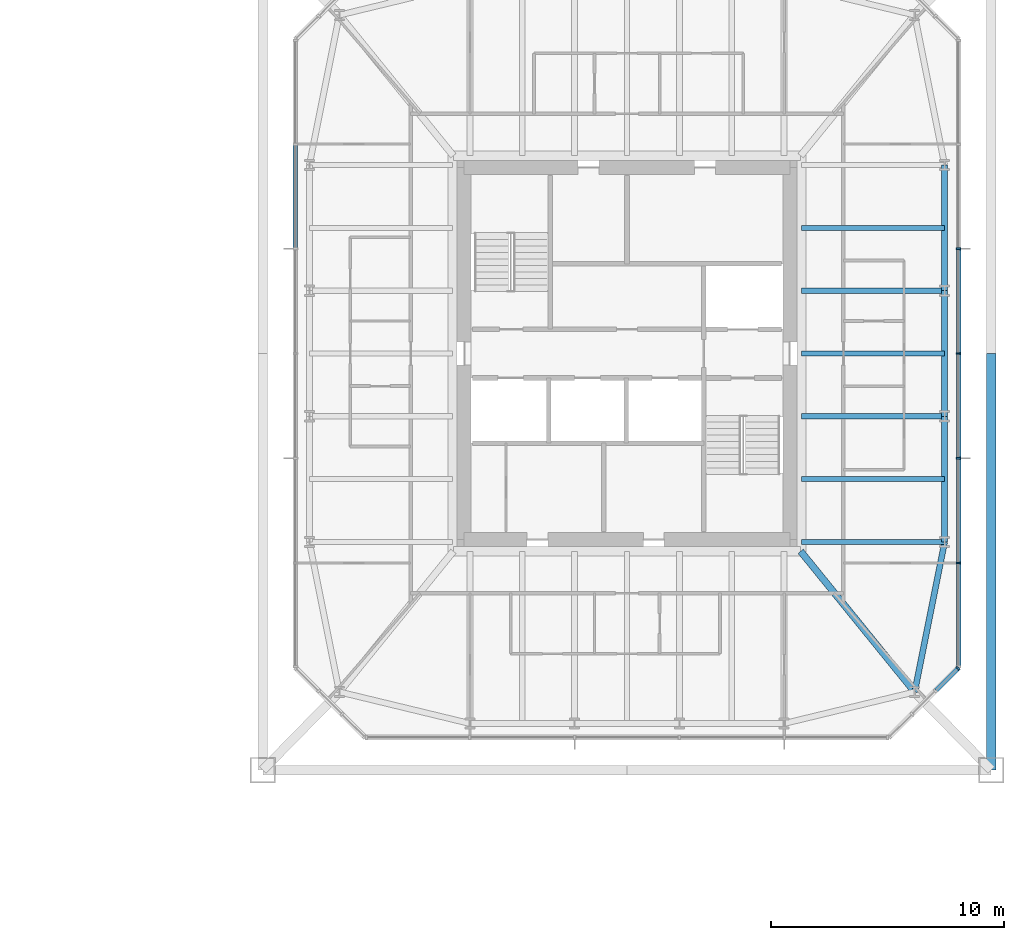
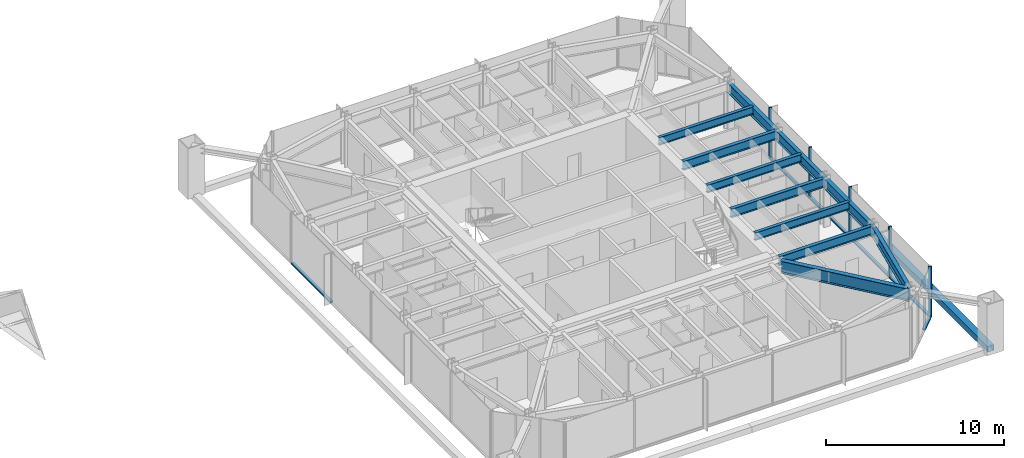
# One storey, part 10 of 26: 12 members, 11 beams, 3 elements without a shape of their own.
"""IFC4 building model written with IfcOpenShell, lengths in metres."""

from ifc_helpers import new_model, si_unit, direction, frame, origin, origin_2d, place, context, subcontext, project, spatial, rectangle, hollow_rectangle, i_section, extrude, material, material_profile, profile_set, type_object, element, aggregate, save


model = new_model("IFC4")

# Units and contexts
model_context = context("Model", 3, precision=1e-05, world=origin(), true_north=direction((0.0, 1.0)))
body_context = subcontext(model_context, "Body", "Model", "MODEL_VIEW")
ifc_project = project(units=[si_unit("LENGTHUNIT", "METRE"), si_unit("AREAUNIT", "SQUARE_METRE"), si_unit("VOLUMEUNIT", "CUBIC_METRE"), si_unit("PLANEANGLEUNIT", "RADIAN"), si_unit("MASSUNIT", "GRAM", prefix="KILO")], contexts=[model_context])

# Site, building, storey
site_placement = place(None, origin())
site = spatial("IfcSite", under=ifc_project, at=site_placement, CompositionType="ELEMENT")
building_placement = place(site_placement, origin())
building = spatial("IfcBuilding", under=site, at=building_placement, Name="Iwan Alto Co-Living Towers", CompositionType="ELEMENT")
storey_placement = place(building_placement, frame((0.0, 0.0, 115.5)))
storey = spatial("IfcBuildingStorey", under=building, at=storey_placement, Name="L31", CompositionType="ELEMENT", Elevation=115.5)

# Curtain wall, members
ifc_material_1 = material(Name="Bronze aluminium unitised frame", Category="aluminium")
curtain_wall_type_1 = type_object("IfcCurtainWallType", Name="CURTAIN WALL CW-C", PredefinedType="NOTDEFINED", material=ifc_material_1)
curtain_wall_1_placement = place(storey_placement, origin())
curtain_wall_1 = element("IfcCurtainWall", 1, at=curtain_wall_1_placement, inside=storey, type_object=curtain_wall_type_1, Name="T2 curtain wall E L31", PredefinedType="NOTDEFINED")
ifc_material_2 = material(Name="Aluminium 6063-T6 bronze anodised", Category="aluminium")
ifc_material_profile_1 = material_profile(ifc_material_2, rectangle(XDim=0.199951171875, YDim=0.080078125, at=origin_2d()), Name="AL 80X200")
ifc_profile_set_1 = profile_set([ifc_material_profile_1], Name="Aluminium 6063-T6 bronze anodised")
member_type_1 = type_object("IfcMemberType", Name="CW-C MULLION 80X200", PredefinedType="MULLION", material=ifc_profile_set_1)
member_1_placement = place(storey_placement, frame((77.25, -9.0, 0.0), z_axis=(0.0, 0.0, 1.0), x_axis=(-1.0, 0.0, 0.0)))
member_1 = element("IfcMember", 2, at=member_1_placement, type_object=member_type_1, Name="CW-C mullion 2", PredefinedType="MULLION", context=body_context, shape_type="SweptSolid", body=[
    extrude(rectangle(XDim=0.199951171875, YDim=0.080078125, at=origin_2d()), origin(), (0.0, 0.0, 1.0), 3.5),
])
member_2_placement = place(storey_placement, frame((77.25, -4.5, 0.0), z_axis=(0.0, 0.0, 1.0), x_axis=(-1.0, 0.0, 0.0)))
member_2 = element("IfcMember", 3, at=member_2_placement, type_object=member_type_1, Name="CW-C mullion 3", PredefinedType="MULLION", context=body_context, shape_type="SweptSolid", body=[
    extrude(rectangle(XDim=0.199951171875, YDim=0.080078125, at=origin_2d()), origin(), (0.0, 0.0, 1.0), 3.5),
])
member_3_placement = place(storey_placement, frame((77.25, 0.0, 0.0), z_axis=(0.0, 0.0, 1.0), x_axis=(-1.0, 0.0, 0.0)))
member_3 = element("IfcMember", 4, at=member_3_placement, type_object=member_type_1, Name="CW-C mullion 4", PredefinedType="MULLION", context=body_context, shape_type="SweptSolid", body=[
    extrude(rectangle(XDim=0.199951171875, YDim=0.080078125, at=origin_2d()), origin(), (0.0, 0.0, 1.0), 3.5),
])
member_4_placement = place(storey_placement, frame((77.25, 4.5, 0.0), z_axis=(0.0, 0.0, 1.0), x_axis=(-1.0, 0.0, 0.0)))
member_4 = element("IfcMember", 5, at=member_4_placement, type_object=member_type_1, Name="CW-C mullion 5", PredefinedType="MULLION", context=body_context, shape_type="SweptSolid", body=[
    extrude(rectangle(XDim=0.199951171875, YDim=0.080078125, at=origin_2d()), origin(), (0.0, 0.0, 1.0), 3.5),
])
ifc_material_3 = material(Name="Aluminium 6063-T6 bronze anodised", Category="aluminium")
ifc_material_profile_2 = material_profile(ifc_material_3, rectangle(XDim=0.199951171875, YDim=0.10009765625, at=origin_2d()), Name="AL 200X100")
ifc_profile_set_2 = profile_set([ifc_material_profile_2], Name="Aluminium 6063-T6 bronze anodised")
member_type_2 = type_object("IfcMemberType", Name="CW-C TRANSOM 200X100", PredefinedType="USERDEFINED", material=ifc_profile_set_2)
member_5_placement = place(storey_placement, frame((77.25, -13.419921875, 0.050048828125), z_axis=(0.0, 1.0, 0.0), x_axis=(-1.0, 0.0, 0.0)))
member_5 = element("IfcMember", 6, at=member_5_placement, type_object=member_type_2, Name="CW-C transom 1.1", ObjectType="TRANSOM", PredefinedType="USERDEFINED", context=body_context, shape_type="SweptSolid", body=[
    extrude(rectangle(XDim=0.199951171875, YDim=0.10009765625, at=origin_2d()), origin(), (0.0, 0.0, 1.0), 4.3798828125),
])
member_6_placement = place(storey_placement, frame((77.25, -8.9599609375, 0.050048828125), z_axis=(0.0, 1.0, 0.0), x_axis=(-1.0, 0.0, 0.0)))
member_6 = element("IfcMember", 7, at=member_6_placement, type_object=member_type_2, Name="CW-C transom 2.1", ObjectType="TRANSOM", PredefinedType="USERDEFINED", context=body_context, shape_type="SweptSolid", body=[
    extrude(rectangle(XDim=0.199951171875, YDim=0.10009765625, at=origin_2d()), origin(), (0.0, 0.0, 1.0), 4.419921875),
])
member_7_placement = place(storey_placement, frame((77.25, -4.4599609375, 0.050048828125), z_axis=(0.0, 1.0, 0.0), x_axis=(-1.0, 0.0, 0.0)))
member_7 = element("IfcMember", 8, at=member_7_placement, type_object=member_type_2, Name="CW-C transom 3.1", ObjectType="TRANSOM", PredefinedType="USERDEFINED", context=body_context, shape_type="SweptSolid", body=[
    extrude(rectangle(XDim=0.199951171875, YDim=0.10009765625, at=origin_2d()), origin(), (0.0, 0.0, 1.0), 4.419921875),
])
member_8_placement = place(storey_placement, frame((77.25, 0.0400390625, 0.050048828125), z_axis=(0.0, 1.0, 0.0), x_axis=(-1.0, 0.0, 0.0)))
member_8 = element("IfcMember", 9, at=member_8_placement, type_object=member_type_2, Name="CW-C transom 4.1", ObjectType="TRANSOM", PredefinedType="USERDEFINED", context=body_context, shape_type="SweptSolid", body=[
    extrude(rectangle(XDim=0.199951171875, YDim=0.10009765625, at=origin_2d()), origin(), (0.0, 0.0, 1.0), 4.419921875),
])
aggregate(curtain_wall_1, [member_1, member_2, member_3, member_4, member_5, member_6, member_7, member_8])

# Curtain wall, member
curtain_wall_2_placement = place(storey_placement, origin())
curtain_wall_2 = element("IfcCurtainWall", 10, at=curtain_wall_2_placement, inside=storey, type_object=curtain_wall_type_1, Name="T2 curtain wall W L31", PredefinedType="NOTDEFINED")
member_9_placement = place(storey_placement, frame((48.75, 8.9599609375, 0.050048828125), z_axis=(0.0, -1.0, 0.0), x_axis=(1.0, 0.0, 0.0)))
member_9 = element("IfcMember", 11, at=member_9_placement, type_object=member_type_2, Name="CW-C transom 2.1", ObjectType="TRANSOM", PredefinedType="USERDEFINED", context=body_context, shape_type="SweptSolid", body=[
    extrude(rectangle(XDim=0.199951171875, YDim=0.10009765625, at=origin_2d()), origin(), (0.0, 0.0, 1.0), 4.419921875),
])
aggregate(curtain_wall_2, [member_9])

# Curtain wall, members
ifc_material_4 = material(Name="Bronze aluminium unitised frame", Category="aluminium")
curtain_wall_type_2 = type_object("IfcCurtainWallType", Name="CURTAIN WALL CW-D", PredefinedType="NOTDEFINED", material=ifc_material_4)
curtain_wall_3_placement = place(storey_placement, origin())
curtain_wall_3 = element("IfcCurtainWall", 12, at=curtain_wall_3_placement, inside=storey, type_object=curtain_wall_type_2, Name="T2 chamfer curtain wall SE L31", PredefinedType="NOTDEFINED")
ifc_material_5 = material(Name="Aluminium 6063-T6 bronze anodised", Category="aluminium")
ifc_material_profile_3 = material_profile(ifc_material_5, rectangle(XDim=0.199951171875, YDim=0.080078125, at=origin_2d()), Name="AL 80X200")
ifc_profile_set_3 = profile_set([ifc_material_profile_3], Name="Aluminium 6063-T6 bronze anodised")
member_type_3 = type_object("IfcMemberType", Name="CW-D MULLION 80X200", PredefinedType="MULLION", material=ifc_profile_set_3)
member_10_placement = place(storey_placement, frame((77.2216796875, -13.5283203125, 0.0), z_axis=(0.0, 0.0, 1.0), x_axis=(-0.707106781187, 0.707106781187, 0.0)))
member_10 = element("IfcMember", 13, at=member_10_placement, type_object=member_type_3, Name="CW-D mullion 4", PredefinedType="MULLION", context=body_context, shape_type="SweptSolid", body=[
    extrude(rectangle(XDim=0.199951171875, YDim=0.080078125, at=origin_2d()), origin(), (0.0, 0.0, 1.0), 3.5),
])
ifc_material_6 = material(Name="Aluminium 6063-T6 bronze anodised", Category="aluminium")
ifc_material_profile_4 = material_profile(ifc_material_6, rectangle(XDim=0.199951171875, YDim=0.10009765625, at=origin_2d()), Name="AL 200X100")
ifc_profile_set_4 = profile_set([ifc_material_profile_4], Name="Aluminium 6063-T6 bronze anodised")
member_type_4 = type_object("IfcMemberType", Name="CW-D TRANSOM 200X100", PredefinedType="USERDEFINED", material=ifc_profile_set_4)
member_11_placement = place(storey_placement, frame((76.2783203125, -14.4716796875, 0.050048828125), z_axis=(0.707106781187, 0.707106781187, 0.0), x_axis=(-0.707106781187, 0.707106781187, 0.0)))
member_11 = element("IfcMember", 14, at=member_11_placement, type_object=member_type_4, Name="CW-D transom 3.1", ObjectType="TRANSOM", PredefinedType="USERDEFINED", context=body_context, shape_type="SweptSolid", body=[
    extrude(rectangle(XDim=0.199951171875, YDim=0.10009765625, at=origin_2d()), origin(), (0.0, 0.0, 1.0), 1.2939453125),
])
aggregate(curtain_wall_3, [member_10, member_11])

# Beams
ifc_material_7 = material(Name="Steel ASTM A992 Gr 50", Category="steel")
ifc_material_profile_5 = material_profile(ifc_material_7, i_section(OverallWidth=0.2919921875, OverallDepth=0.8408203125, WebThickness=0.0146484375, FlangeThickness=0.021728515625, at=origin_2d()), Name="W33X130")
ifc_profile_set_5 = profile_set([ifc_material_profile_5], Name="Steel ASTM A992 Gr 50")
beam_type_1 = type_object("IfcBeamType", Name="T2 CORNER GIRDER W33X130", PredefinedType="BEAM", material=ifc_profile_set_5)
beam_1_placement = place(storey_placement, frame((75.361328125, -14.542724609375, 2.849609375), z_axis=(-0.629783024592, 0.776771100091, 0.0), x_axis=(-0.776771100091, -0.629783024592, 0.0)))
element("IfcBeam", 15, at=beam_1_placement, inside=storey, type_object=beam_type_1, Name="T2 corner girder CSE L32", PredefinedType="BEAM", context=body_context, shape_type="SweptSolid", body=[
    extrude(i_section(OverallWidth=0.2919921875, OverallDepth=0.8408203125, WebThickness=0.0146484375, FlangeThickness=0.021728515625, at=origin_2d()), origin(), (0.0, 0.0, 1.0), 7.780029296875),
])
ifc_material_8 = material(Name="Steel ASTM A992 Gr 50", Category="steel")
ifc_material_profile_6 = material_profile(ifc_material_8, i_section(OverallWidth=0.25390625, OverallDepth=0.683349609375, WebThickness=0.012451171875, FlangeThickness=0.018798828125, at=origin_2d()), Name="W27X94")
ifc_profile_set_6 = profile_set([ifc_material_profile_6], Name="Steel ASTM A992 Gr 50")
beam_type_2 = type_object("IfcBeamType", Name="T2 EDGE BEAM W27X94", PredefinedType="BEAM", material=ifc_profile_set_6)
beam_2_placement = place(storey_placement, frame((75.361328125, -14.542724609375, 2.928466796875), z_axis=(0.196123281025, 0.980579246487, 0.0), x_axis=(-0.980579246487, 0.196123281025, 0.0)))
element("IfcBeam", 16, at=beam_2_placement, inside=storey, type_object=beam_type_2, Name="T2 edge beam CSE L32", PredefinedType="BEAM", context=body_context, shape_type="SweptSolid", body=[
    extrude(i_section(OverallWidth=0.25390625, OverallDepth=0.683349609375, WebThickness=0.012451171875, FlangeThickness=0.018798828125, at=origin_2d()), origin(), (0.0, 0.0, 1.0), 6.5703125),
])
beam_3_placement = place(storey_placement, frame((76.64990234375, -8.10009765625, 2.928466796875), z_axis=(0.0, 1.0, 0.0), x_axis=(-1.0, 0.0, 0.0)))
element("IfcBeam", 17, at=beam_3_placement, inside=storey, type_object=beam_type_2, Name="T2 edge beam E1 L32", PredefinedType="BEAM", context=body_context, shape_type="SweptSolid", body=[
    extrude(i_section(OverallWidth=0.25390625, OverallDepth=0.683349609375, WebThickness=0.012451171875, FlangeThickness=0.018798828125, at=origin_2d()), origin(), (0.0, 0.0, 1.0), 5.400146484375),
])
beam_4_placement = place(storey_placement, frame((76.64990234375, -2.699951171875, 2.928466796875), z_axis=(0.0, 1.0, 0.0), x_axis=(-1.0, 0.0, 0.0)))
element("IfcBeam", 18, at=beam_4_placement, inside=storey, type_object=beam_type_2, Name="T2 edge beam E2 L32", PredefinedType="BEAM", context=body_context, shape_type="SweptSolid", body=[
    extrude(i_section(OverallWidth=0.25390625, OverallDepth=0.683349609375, WebThickness=0.012451171875, FlangeThickness=0.018798828125, at=origin_2d()), origin(), (0.0, 0.0, 1.0), 5.39990234375),
])
beam_5_placement = place(storey_placement, frame((76.64990234375, 2.699951171875, 2.928466796875), z_axis=(0.0, 1.0, 0.0), x_axis=(-1.0, 0.0, 0.0)))
element("IfcBeam", 19, at=beam_5_placement, inside=storey, type_object=beam_type_2, Name="T2 edge beam E3 L32", PredefinedType="BEAM", context=body_context, shape_type="SweptSolid", body=[
    extrude(i_section(OverallWidth=0.25390625, OverallDepth=0.683349609375, WebThickness=0.012451171875, FlangeThickness=0.018798828125, at=origin_2d()), origin(), (0.0, 0.0, 1.0), 5.400146484375),
])

# Member
ifc_material_9 = material(Name="Steel ASTM A500 Gr C", Category="steel")
ifc_material_profile_7 = material_profile(ifc_material_9, hollow_rectangle(XDim=0.406494140625, YDim=0.406494140625, WallThickness=0.0146484375, at=origin_2d()), Name="HSS16X16X5/8")
ifc_profile_set_7 = profile_set([ifc_material_profile_7], Name="Steel ASTM A500 Gr C")
member_type_5 = type_object("IfcMemberType", Name="T2 MEGA TIE HSS16X16X5/8", PredefinedType="STRUT", material=ifc_profile_set_7)
member_12_placement = place(storey_placement, frame((78.64990234375, -17.89990234375, 0.0), z_axis=(0.0, 1.0, 0.0), x_axis=(-1.0, 0.0, 0.0)))
element("IfcMember", 20, at=member_12_placement, inside=storey, type_object=member_type_5, Name="T2 mega tie Z2B E 1", PredefinedType="STRUT", context=body_context, shape_type="SweptSolid", body=[
    extrude(hollow_rectangle(XDim=0.406494140625, YDim=0.406494140625, WallThickness=0.0146484375, at=origin_2d()), origin(), (0.0, 0.0, 1.0), 17.89990234375),
])

# Beams
ifc_material_10 = material(Name="Steel ASTM A992 Gr 50", Category="steel")
ifc_material_profile_8 = material_profile(ifc_material_10, i_section(OverallWidth=0.228271484375, OverallDepth=0.607177734375, WebThickness=0.01123046875, FlangeThickness=0.017333984375, at=origin_2d()), Name="W24X76")
ifc_profile_set_8 = profile_set([ifc_material_profile_8], Name="Steel ASTM A992 Gr 50")
beam_type_3 = type_object("IfcBeamType", Name="T2 RADIAL BEAM W24X76", PredefinedType="BEAM", material=ifc_profile_set_8)
for number, where, z_axis, x_axis, name in (
    (21, (76.64990234375, -8.10009765625, 2.966552734375), (-1.0, 0.0, 0.0), (0.0, -1.0, 0.0), "T2 radial beam E1 L32"),
    (22, (76.64990234375, -2.699951171875, 2.966552734375), (-1.0, 0.0, 0.0), (0.0, -1.0, 0.0), "T2 radial beam E2 L32"),
    (23, (76.64990234375, 2.699951171875, 2.966552734375), (-1.0, 0.0, 0.0), (0.0, -1.0, 0.0), "T2 radial beam E3 L32"),
):
    element("IfcBeam", number, at=place(storey_placement, frame(where, z_axis=z_axis, x_axis=x_axis)), inside=storey, type_object=beam_type_3, Name=name, PredefinedType="BEAM", context=body_context, shape_type="SweptSolid", body=[
        extrude(i_section(OverallWidth=0.228271484375, OverallDepth=0.607177734375, WebThickness=0.01123046875, FlangeThickness=0.017333984375, at=origin_2d()), origin(), (0.0, 0.0, 1.0), 6.150390625),
    ])
ifc_material_11 = material(Name="Steel ASTM A992 Gr 50", Category="steel")
ifc_material_profile_9 = material_profile(ifc_material_11, i_section(OverallWidth=0.209228515625, OverallDepth=0.533447265625, WebThickness=0.01025390625, FlangeThickness=0.015625, at=origin_2d()), Name="W21X62")
ifc_profile_set_9 = profile_set([ifc_material_profile_9], Name="Steel ASTM A992 Gr 50")
beam_type_4 = type_object("IfcBeamType", Name="T2 SECONDARY BEAM W21X62", PredefinedType="JOIST", material=ifc_profile_set_9)
for number, where, z_axis, x_axis, name in (
    (24, (76.64990234375, -5.39990234375, 3.00341796875), (-1.0, 0.0, 0.0), (0.0, -1.0, 0.0), "T2 secondary beam E1 L32"),
    (25, (76.64990234375, 0.0, 3.00341796875), (-1.0, 0.0, 0.0), (0.0, -1.0, 0.0), "T2 secondary beam E2 L32"),
    (26, (76.64990234375, 5.39990234375, 3.00341796875), (-1.0, 0.0, 0.0), (0.0, -1.0, 0.0), "T2 secondary beam E3 L32"),
):
    element("IfcBeam", number, at=place(storey_placement, frame(where, z_axis=z_axis, x_axis=x_axis)), inside=storey, type_object=beam_type_4, Name=name, PredefinedType="JOIST", context=body_context, shape_type="SweptSolid", body=[
        extrude(i_section(OverallWidth=0.209228515625, OverallDepth=0.533447265625, WebThickness=0.01025390625, FlangeThickness=0.015625, at=origin_2d()), origin(), (0.0, 0.0, 1.0), 6.150390625),
    ])

save(model, "model.ifc")
